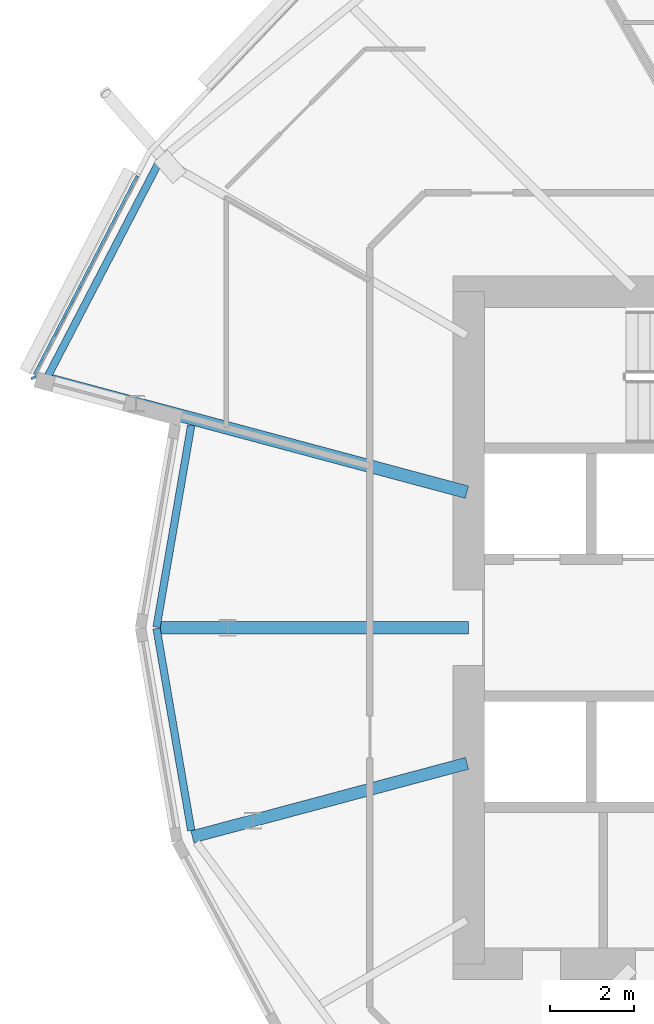
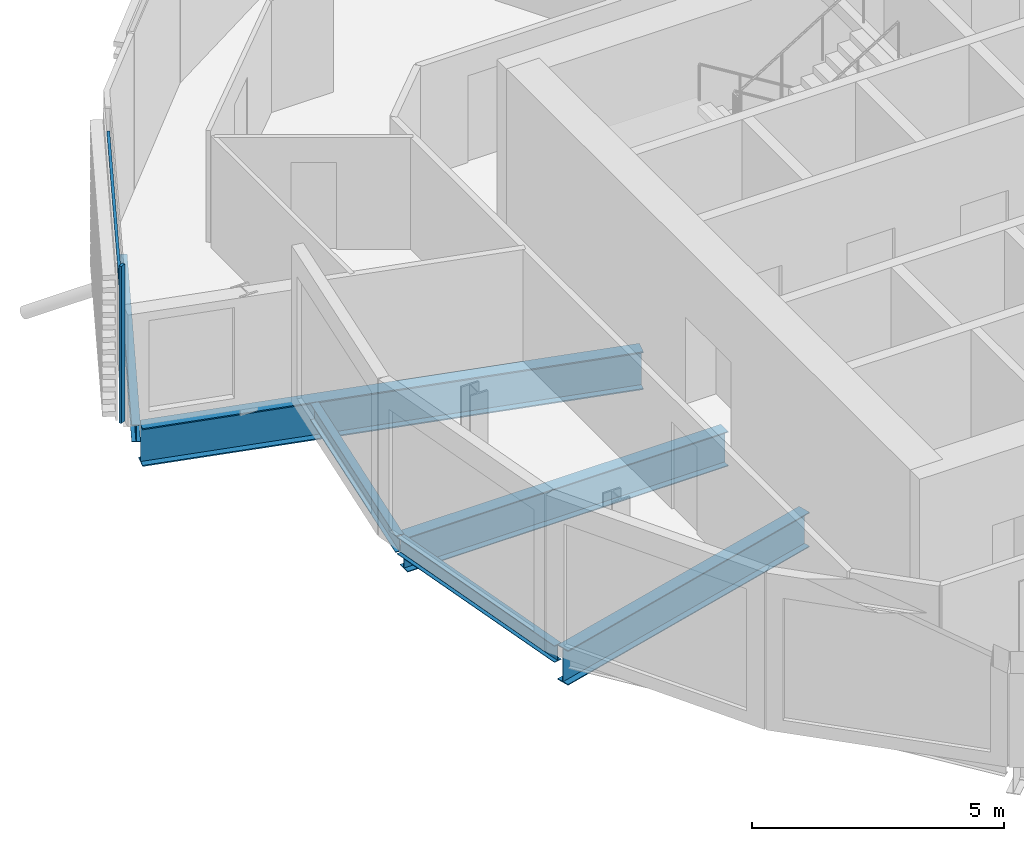
# One storey, part 5 of 38: 6 beams, 2 members, 1 element without a shape of its own.
"""IFC4 building model written with IfcOpenShell, lengths in metres."""

from ifc_helpers import new_model, si_unit, direction, frame, origin, origin_2d, place, context, subcontext, project, spatial, rectangle, i_section, extrude, material, material_profile, profile_set, type_object, element, aggregate, save


model = new_model("IFC4")

# Units and contexts
model_context = context("Model", 3, precision=1e-05, world=origin(), true_north=direction((0.0, 1.0)))
body_context = subcontext(model_context, "Body", "Model", "MODEL_VIEW")
ifc_project = project(units=[si_unit("LENGTHUNIT", "METRE"), si_unit("AREAUNIT", "SQUARE_METRE"), si_unit("VOLUMEUNIT", "CUBIC_METRE"), si_unit("PLANEANGLEUNIT", "RADIAN"), si_unit("MASSUNIT", "GRAM", prefix="KILO")], contexts=[model_context])

# Site, building, storey
site_placement = place(None, origin())
site = spatial("IfcSite", under=ifc_project, at=site_placement, CompositionType="ELEMENT")
building_placement = place(site_placement, origin())
building = spatial("IfcBuilding", under=site, at=building_placement, Name="Rimbun Link Towers", CompositionType="ELEMENT")
storey_placement = place(building_placement, frame((0.0, 0.0, 108.199951171875)))
storey = spatial("IfcBuildingStorey", under=building, at=storey_placement, Name="L26", CompositionType="ELEMENT", Elevation=108.199951171875)

# Curtain wall, members
ifc_material_1 = material(Name="Aluminium 6063-T6 and low-iron glass", Category="aluminium")
curtain_wall_type = type_object("IfcCurtainWallType", Name="CW1-Z2 unitised vision wall (zone 2)", PredefinedType="NOTDEFINED", material=ifc_material_1)
curtain_wall_placement = place(storey_placement, origin())
curtain_wall = element("IfcCurtainWall", 1, at=curtain_wall_placement, inside=storey, type_object=curtain_wall_type, Name="CW1 L26 T1", PredefinedType="NOTDEFINED")
ifc_material_2 = material(Name="Aluminium 6063-T6", Category="aluminium")
ifc_material_profile_1 = material_profile(ifc_material_2, rectangle(XDim=0.1201171875, YDim=0.06005859375, at=origin_2d()), Name="MULLION 60X120")
ifc_profile_set_1 = profile_set([ifc_material_profile_1], Name="Aluminium 6063-T6")
member_type_1 = type_object("IfcMemberType", Name="CW1 mullion 60X120", PredefinedType="MULLION", material=ifc_profile_set_1)
member_1_placement = place(storey_placement, frame((-54.10498046875, 5.951171875, 0.0), z_axis=(0.0, 0.0, 1.0), x_axis=(-0.914814968794, -0.403873213857, 0.0)))
member_1 = element("IfcMember", 2, at=member_1_placement, type_object=member_type_1, Name="CW1 mullion", PredefinedType="MULLION", context=body_context, shape_type="SweptSolid", body=[
    extrude(rectangle(XDim=0.1201171875, YDim=0.06005859375, at=origin_2d()), origin(), (0.0, 0.0, 1.0), 3.800048828125),
])
ifc_material_3 = material(Name="Aluminium 6063-T6", Category="aluminium")
ifc_material_profile_2 = material_profile(ifc_material_3, rectangle(XDim=0.06005859375, YDim=0.1201171875, at=origin_2d()), Name="TRANSOM 60X120")
ifc_profile_set_2 = profile_set([ifc_material_profile_2], Name="Aluminium 6063-T6")
member_type_2 = type_object("IfcMemberType", Name="CW1 transom 60X120", PredefinedType="USERDEFINED", material=ifc_profile_set_2)
member_2_placement = place(storey_placement, frame((-54.087890625, 6.028564453125, 3.199951171875), z_axis=(0.459538981862, 0.888157600963, 0.0), x_axis=(-0.888157600963, 0.459538981862, 0.0)))
member_2 = element("IfcMember", 3, at=member_2_placement, type_object=member_type_2, Name="CW1 transom", ObjectType="TRANSOM", PredefinedType="USERDEFINED", context=body_context, shape_type="SweptSolid", body=[
    extrude(rectangle(XDim=0.06005859375, YDim=0.1201171875, at=origin_2d()), origin(), (0.0, 0.0, 1.0), 5.32177734375),
])
aggregate(curtain_wall, [member_1, member_2])

# Beams
ifc_material_4 = material(Name="Steel S355J2", Category="steel")
ifc_material_profile_3 = material_profile(ifc_material_4, i_section(OverallWidth=0.177978515625, OverallDepth=0.406494140625, WebThickness=0.0078125, FlangeThickness=0.0126953125, at=origin_2d()), Name="UB 406x178x60")
ifc_profile_set_3 = profile_set([ifc_material_profile_3], Name="Steel S355J2")
beam_type_1 = type_object("IfcBeamType", Name="UB 406x178x60", PredefinedType="BEAM", material=ifc_profile_set_3)
beam_1_placement = place(storey_placement, frame((-51.07861328125, 11.158203125, -0.363037109375), z_axis=(-0.460655785928, -0.887578867984, 0.0), x_axis=(0.887578867984, -0.460655785928, 0.0)))
element("IfcBeam", 4, at=beam_1_placement, inside=storey, type_object=beam_type_1, Name="Edge beam T1 L26 10", PredefinedType="BEAM", context=body_context, shape_type="SweptSolid", body=[
    extrude(i_section(OverallWidth=0.177978515625, OverallDepth=0.406494140625, WebThickness=0.0078125, FlangeThickness=0.0126953125, at=origin_2d()), origin(), (0.0, 0.0, 1.0), 5.9130859375),
])
beam_2_placement = place(storey_placement, frame((-50.35205078125, 4.81689453125, -0.363037109375), z_axis=(-0.169208651804, -0.985580251504, 0.0), x_axis=(0.985580251504, -0.169208651804, 0.0)))
element("IfcBeam", 5, at=beam_2_placement, inside=storey, type_object=beam_type_1, Name="Edge beam T1 L26 11 recess", PredefinedType="BEAM", context=body_context, shape_type="SweptSolid", body=[
    extrude(i_section(OverallWidth=0.177978515625, OverallDepth=0.406494140625, WebThickness=0.0078125, FlangeThickness=0.0126953125, at=origin_2d()), origin(), (0.0, 0.0, 1.0), 4.87109375),
])
beam_3_placement = place(storey_placement, frame((-51.17626953125, -0.01611328125, -0.363037109375), z_axis=(0.169186101324, -0.985584122802, 0.0), x_axis=(0.985584122802, 0.169186101324, 0.0)))
element("IfcBeam", 6, at=beam_3_placement, inside=storey, type_object=beam_type_1, Name="Edge beam T1 L26 12 recess", PredefinedType="BEAM", context=body_context, shape_type="SweptSolid", body=[
    extrude(i_section(OverallWidth=0.177978515625, OverallDepth=0.406494140625, WebThickness=0.0078125, FlangeThickness=0.0126953125, at=origin_2d()), origin(), (0.0, 0.0, 1.0), 4.87744140625),
])
ifc_material_5 = material(Name="Steel S355J2", Category="steel")
ifc_material_profile_4 = material_profile(ifc_material_5, i_section(OverallWidth=0.29248046875, OverallDepth=0.8408203125, WebThickness=0.0126953125, FlangeThickness=0.021728515625, at=origin_2d()), Name="UB 838x292x194")
ifc_profile_set_4 = profile_set([ifc_material_profile_4], Name="Steel S355J2")
beam_type_2 = type_object("IfcBeamType", Name="UB 838x292x194", PredefinedType="BEAM", material=ifc_profile_set_4)
beam_4_placement = place(storey_placement, frame((-43.7509765625, 0.0, -0.580322265625), z_axis=(-1.0, 0.0, 0.0), x_axis=(0.0, -1.0, 0.0)))
element("IfcBeam", 7, at=beam_4_placement, inside=storey, type_object=beam_type_2, Name="Radial beam T1 L26 12", PredefinedType="BEAM", context=body_context, shape_type="SweptSolid", body=[
    extrude(i_section(OverallWidth=0.29248046875, OverallDepth=0.8408203125, WebThickness=0.0126953125, FlangeThickness=0.021728515625, at=origin_2d()), origin(), (0.0, 0.0, 1.0), 7.338134765625),
])
beam_5_placement = place(storey_placement, frame((-43.788818359375, -3.225830078125, -0.580322265625), z_axis=(-0.965928242155, -0.258810028799, 0.0), x_axis=(0.258810028799, -0.965928242155, 0.0)))
element("IfcBeam", 8, at=beam_5_placement, inside=storey, type_object=beam_type_2, Name="Radial beam T1 L26 13", PredefinedType="BEAM", context=body_context, shape_type="SweptSolid", body=[
    extrude(i_section(OverallWidth=0.29248046875, OverallDepth=0.8408203125, WebThickness=0.0126953125, FlangeThickness=0.021728515625, at=origin_2d()), origin(), (0.0, 0.0, 1.0), 6.766357421875),
])
ifc_material_6 = material(Name="Steel S355J2", Category="steel")
ifc_material_profile_5 = material_profile(ifc_material_6, i_section(OverallWidth=0.305419921875, OverallDepth=0.91845703125, WebThickness=0.017333984375, FlangeThickness=0.02783203125, at=origin_2d()), Name="UB 914x305x253")
ifc_profile_set_5 = profile_set([ifc_material_profile_5], Name="Steel S355J2")
beam_type_3 = type_object("IfcBeamType", Name="UB 914x305x253", PredefinedType="BEAM", material=ifc_profile_set_5)
beam_6_placement = place(storey_placement, frame((-43.79052734375, 3.226318359375, -0.619140625), z_axis=(-0.965926199837, 0.258817650997, 0.0), x_axis=(-0.258817650997, -0.965926199837, 0.0)))
element("IfcBeam", 9, at=beam_6_placement, inside=storey, type_object=beam_type_3, Name="Radial beam T1 L26 11", PredefinedType="BEAM", context=body_context, shape_type="SweptSolid", body=[
    extrude(i_section(OverallWidth=0.305419921875, OverallDepth=0.91845703125, WebThickness=0.017333984375, FlangeThickness=0.02783203125, at=origin_2d()), origin(), (0.0, 0.0, 1.0), 10.2734375),
])

save(model, "model.ifc")
